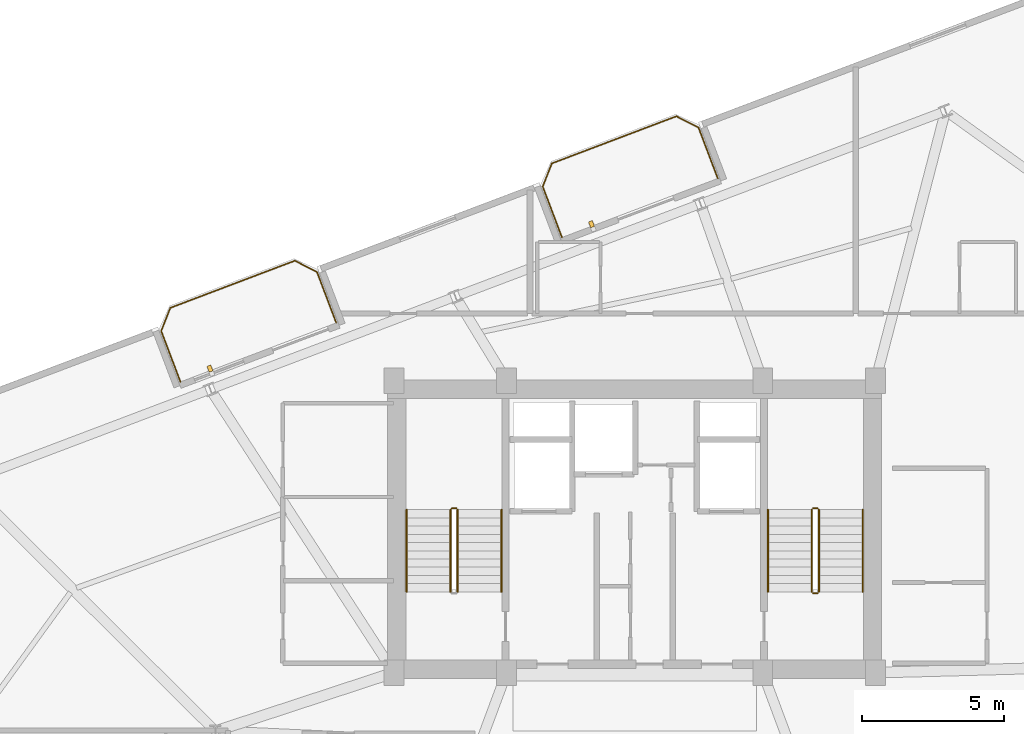
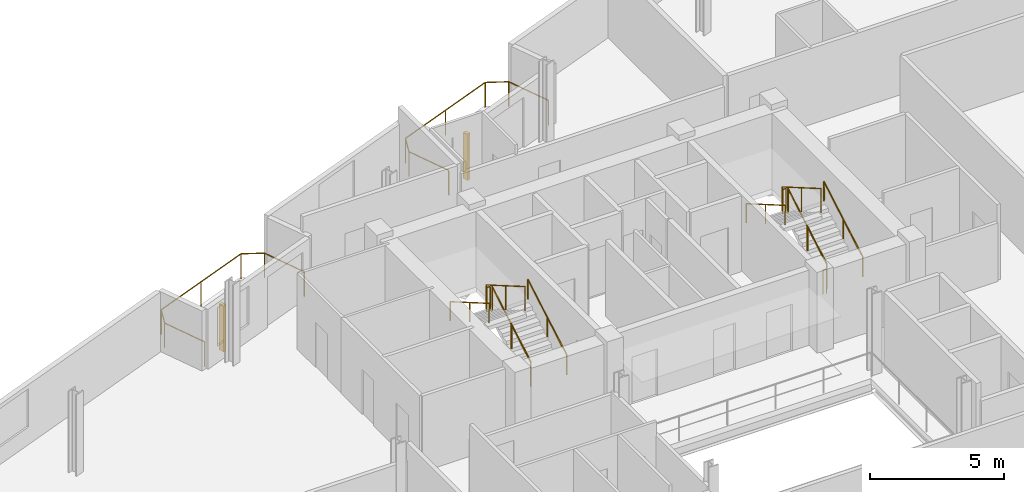
# One storey, part 20 of 20: 13 railings, 2 shading devices.
"""IFC4 building model written with IfcOpenShell, lengths in metres."""

from ifc_helpers import new_model, si_unit, direction, frame, origin, origin_2d, place, context, subcontext, project, spatial, rectangle, circle, extrude, source, transform, mapped, material, type_object, element, save


model = new_model("IFC4")

# Units and contexts
model_context = context("Model", 3, precision=1e-05, world=origin(), true_north=direction((0.0, 1.0)))
body_context = subcontext(model_context, "Body", "Model", "MODEL_VIEW")
ifc_project = project(units=[si_unit("LENGTHUNIT", "METRE"), si_unit("AREAUNIT", "SQUARE_METRE"), si_unit("VOLUMEUNIT", "CUBIC_METRE"), si_unit("PLANEANGLEUNIT", "RADIAN"), si_unit("MASSUNIT", "GRAM", prefix="KILO")], contexts=[model_context])

# Site, building, storey
site_placement = place(None, origin())
site = spatial("IfcSite", under=ifc_project, at=site_placement, CompositionType="ELEMENT")
building_placement = place(site_placement, origin())
building = spatial("IfcBuilding", under=site, at=building_placement, Name="Varnelok Gate Tower", CompositionType="ELEMENT")
storey_placement = place(building_placement, frame((0.0, 0.0, 220.10009765625)))
storey = spatial("IfcBuildingStorey", under=building, at=storey_placement, Name="L56", CompositionType="ELEMENT", Elevation=220.10009765625)

# Railings
ifc_material_1 = material(Name="Low-E Laminated Double Glazing IGU", Category="glass")
railing_type_1 = type_object("IfcRailingType", Name="RL-BALC-1150", PredefinedType="BALUSTRADE", material=ifc_material_1)
railing_1_placement = place(storey_placement, frame((23.166748046875, 39.011474609375, 0.0)))
element("IfcRailing", 1, at=railing_1_placement, inside=storey, type_object=railing_type_1, Name="L56 North Terrace Balustrade 3", PredefinedType="BALUSTRADE", context=body_context, shape_type="SweptSolid", body=[
    extrude(circle(Radius=0.02392578125, at=origin_2d()), frame((0.0, 0.0, 1.1259765625), z_axis=(-0.354159661475, 0.935184973245, 0.0), x_axis=(-0.935184973245, -0.354159661475, 0.0)), (0.0, 0.0, 1.0), 1.919921875),
    extrude(circle(Radius=0.02392578125, at=origin_2d()), frame((-0.679931640625, 1.79541015625, 1.1259765625), z_axis=(0.366495340819, 0.93041988648, 0.0), x_axis=(-0.93041988648, 0.366495340819, 0.0)), (0.0, 0.0, 1.0), 0.8779296875),
    extrude(circle(Radius=0.02392578125, at=origin_2d()), frame((-0.358154296875, 2.6123046875, 1.1259765625), z_axis=(0.935223045203, 0.354059113314, 0.0), x_axis=(-0.354059113314, 0.935223045203, 0.0)), (0.0, 0.0, 1.0), 4.699951171875),
    extrude(circle(Radius=0.02392578125, at=origin_2d()), frame((4.037353515625, 4.2763671875, 1.1259765625), z_axis=(0.89078254773, -0.454429810487, 0.0), x_axis=(0.454429810487, 0.89078254773, 0.0)), (0.0, 0.0, 1.0), 0.8779296875),
    extrude(circle(Radius=0.02392578125, at=origin_2d()), frame((4.8193359375, 3.87744140625, 1.1259765625), z_axis=(0.354006333352, -0.935243025073, 0.0), x_axis=(0.935243025073, 0.354006333352, 0.0)), (0.0, 0.0, 1.0), 1.919921875),
    extrude(circle(Radius=0.02099609375, at=origin_2d()), origin(), (0.0, 0.0, 1.0), 1.101806640625),
    extrude(circle(Radius=0.02099609375, at=origin_2d()), frame((-0.679931640625, 1.79541015625, 0.0)), (0.0, 0.0, 1.0), 1.101806640625),
    extrude(circle(Radius=0.02099609375, at=origin_2d()), frame((-0.358154296875, 2.6123046875, 0.0)), (0.0, 0.0, 1.0), 1.101806640625),
    extrude(circle(Radius=0.02099609375, at=origin_2d()), frame((1.839599609375, 3.4443359375, 0.0)), (0.0, 0.0, 1.0), 1.101806640625),
    extrude(circle(Radius=0.02099609375, at=origin_2d()), frame((4.037353515625, 4.2763671875, 0.0)), (0.0, 0.0, 1.0), 1.101806640625),
    extrude(circle(Radius=0.02099609375, at=origin_2d()), frame((4.8193359375, 3.87744140625, 0.0)), (0.0, 0.0, 1.0), 1.101806640625),
    extrude(circle(Radius=0.02099609375, at=origin_2d()), frame((5.4990234375, 2.081787109375, 0.0)), (0.0, 0.0, 1.0), 1.101806640625),
])
railing_2_placement = place(storey_placement, frame((36.6337890625, 44.10986328125, 0.0)))
element("IfcRailing", 2, at=railing_2_placement, inside=storey, type_object=railing_type_1, Name="L56 North Terrace Balustrade 4", PredefinedType="BALUSTRADE", context=body_context, shape_type="SweptSolid", body=[
    extrude(circle(Radius=0.02392578125, at=origin_2d()), frame((0.0, 0.0, 1.1259765625), z_axis=(-0.354006333352, 0.935243025073, 0.0), x_axis=(-0.935243025073, -0.354006333352, 0.0)), (0.0, 0.0, 1.0), 1.919921875),
    extrude(circle(Radius=0.02392578125, at=origin_2d()), frame((-0.6796875, 1.795654296875, 1.1259765625), z_axis=(0.366254584666, 0.930514685113, 0.0), x_axis=(-0.930514685113, 0.366254584666, 0.0)), (0.0, 0.0, 1.0), 0.8779296875),
    extrude(circle(Radius=0.02392578125, at=origin_2d()), frame((-0.358154296875, 2.612548828125, 1.1259765625), z_axis=(0.935229556479, 0.354041913744, 0.0), x_axis=(-0.354041913744, 0.935229556479, 0.0)), (0.0, 0.0, 1.0), 4.7001953125),
    extrude(circle(Radius=0.02392578125, at=origin_2d()), frame((4.03759765625, 4.276611328125, 1.1259765625), z_axis=(0.890612455555, -0.454763074589, 0.0), x_axis=(0.454763074589, 0.890612455555, 0.0)), (0.0, 0.0, 1.0), 0.877685546875),
    extrude(circle(Radius=0.02392578125, at=origin_2d()), frame((4.8193359375, 3.87744140625, 1.1259765625), z_axis=(0.354159661475, -0.935184973245, 0.0), x_axis=(0.935184973245, 0.354159661475, 0.0)), (0.0, 0.0, 1.0), 1.919921875),
    extrude(circle(Radius=0.02099609375, at=origin_2d()), origin(), (0.0, 0.0, 1.0), 1.101806640625),
    extrude(circle(Radius=0.02099609375, at=origin_2d()), frame((-0.6796875, 1.795654296875, 0.0)), (0.0, 0.0, 1.0), 1.101806640625),
    extrude(circle(Radius=0.02099609375, at=origin_2d()), frame((-0.358154296875, 2.612548828125, 0.0)), (0.0, 0.0, 1.0), 1.101806640625),
    extrude(circle(Radius=0.02099609375, at=origin_2d()), frame((1.83984375, 3.444580078125, 0.0)), (0.0, 0.0, 1.0), 1.101806640625),
    extrude(circle(Radius=0.02099609375, at=origin_2d()), frame((4.03759765625, 4.276611328125, 0.0)), (0.0, 0.0, 1.0), 1.101806640625),
    extrude(circle(Radius=0.02099609375, at=origin_2d()), frame((4.8193359375, 3.87744140625, 0.0)), (0.0, 0.0, 1.0), 1.101806640625),
    extrude(circle(Radius=0.02099609375, at=origin_2d()), frame((5.499267578125, 2.08203125, 0.0)), (0.0, 0.0, 1.0), 1.101806640625),
])
ifc_material_2 = material(Name="Brushed Stainless Steel AISI 316", Category="steel")
railing_type_2 = type_object("IfcRailingType", Name="RL-HANDRAIL-900", PredefinedType="HANDRAIL", material=ifc_material_2)
railing_3_placement = place(storey_placement, frame((34.5, 31.60009765625, 0.16796875)))
element("IfcRailing", 3, at=railing_3_placement, inside=storey, type_object=railing_type_2, Name="L56 ST-1 stair handrail 1", PredefinedType="HANDRAIL", context=body_context, shape_type="SweptSolid", body=[
    extrude(circle(Radius=0.02392578125, at=origin_2d()), frame((0.0, 0.0, 0.8759765625), z_axis=(0.0, 0.865038774852, 0.501705010941), x_axis=(-1.0, 0.0, 0.0)), (0.0, 0.0, 1.0), 3.352294921875),
    extrude(circle(Radius=0.02099609375, at=origin_2d()), origin(), (0.0, 0.0, 1.0), 0.851806640625),
    extrude(circle(Radius=0.02099609375, at=origin_2d()), frame((0.0, 1.449951171875, 0.8408203125)), (0.0, 0.0, 1.0), 0.851806640625),
    extrude(circle(Radius=0.02099609375, at=origin_2d()), frame((0.0, 2.89990234375, 1.681884765625)), (0.0, 0.0, 1.0), 0.851806640625),
])
railing_4_placement = place(storey_placement, frame((31.14990234375, 34.5, 2.01806640625)))
element("IfcRailing", 4, at=railing_4_placement, inside=storey, type_object=railing_type_2, Name="L56 ST-1 stair handrail 2", PredefinedType="HANDRAIL", context=body_context, shape_type="SweptSolid", body=[
    extrude(circle(Radius=0.02392578125, at=origin_2d()), frame((0.0, 0.0, 0.8759765625), z_axis=(0.0, -0.865038774852, 0.501705010941), x_axis=(1.0, 0.0, 0.0)), (0.0, 0.0, 1.0), 3.352294921875),
    extrude(circle(Radius=0.02099609375, at=origin_2d()), origin(), (0.0, 0.0, 1.0), 0.851806640625),
    extrude(circle(Radius=0.02099609375, at=origin_2d()), frame((0.0, -1.449951171875, 0.8408203125)), (0.0, 0.0, 1.0), 0.851806640625),
    extrude(circle(Radius=0.02099609375, at=origin_2d()), frame((0.0, -2.89990234375, 1.681884765625)), (0.0, 0.0, 1.0), 0.851806640625),
])
railing_5_placement = place(storey_placement, frame((47.25, 31.60009765625, 0.16796875)))
element("IfcRailing", 5, at=railing_5_placement, inside=storey, type_object=railing_type_2, Name="L56 ST-2 stair handrail 1", PredefinedType="HANDRAIL", context=body_context, shape_type="SweptSolid", body=[
    extrude(circle(Radius=0.02392578125, at=origin_2d()), frame((0.0, 0.0, 0.8759765625), z_axis=(0.0, 0.865038774852, 0.501705010941), x_axis=(-1.0, 0.0, 0.0)), (0.0, 0.0, 1.0), 3.352294921875),
    extrude(circle(Radius=0.02099609375, at=origin_2d()), origin(), (0.0, 0.0, 1.0), 0.851806640625),
    extrude(circle(Radius=0.02099609375, at=origin_2d()), frame((0.0, 1.449951171875, 0.8408203125)), (0.0, 0.0, 1.0), 0.851806640625),
    extrude(circle(Radius=0.02099609375, at=origin_2d()), frame((0.0, 2.89990234375, 1.681884765625)), (0.0, 0.0, 1.0), 0.851806640625),
])
railing_6_placement = place(storey_placement, frame((43.89990234375, 34.5, 2.01806640625)))
element("IfcRailing", 6, at=railing_6_placement, inside=storey, type_object=railing_type_2, Name="L56 ST-2 stair handrail 2", PredefinedType="HANDRAIL", context=body_context, shape_type="SweptSolid", body=[
    extrude(circle(Radius=0.02392578125, at=origin_2d()), frame((0.0, 0.0, 0.8759765625), z_axis=(0.0, -0.865038774852, 0.501705010941), x_axis=(1.0, 0.0, 0.0)), (0.0, 0.0, 1.0), 3.352294921875),
    extrude(circle(Radius=0.02099609375, at=origin_2d()), origin(), (0.0, 0.0, 1.0), 0.851806640625),
    extrude(circle(Radius=0.02099609375, at=origin_2d()), frame((0.0, -1.449951171875, 0.8408203125)), (0.0, 0.0, 1.0), 0.851806640625),
    extrude(circle(Radius=0.02099609375, at=origin_2d()), frame((0.0, -2.89990234375, 1.681884765625)), (0.0, 0.0, 1.0), 0.851806640625),
])
ifc_material_3 = material(Name="Galvanized Steel Grade S350GD", Category="steel")
railing_type_3 = type_object("IfcRailingType", Name="RL-STAIR-GUARD1120", PredefinedType="GUARDRAIL", material=ifc_material_3)
railing_7_placement = place(storey_placement, frame((32.949951171875, 31.60009765625, 0.16796875)))
element("IfcRailing", 7, at=railing_7_placement, inside=storey, type_object=railing_type_3, Name="L56 ST-1 stair guard 1", PredefinedType="GUARDRAIL", context=body_context, shape_type="SweptSolid", body=[
    extrude(circle(Radius=0.02392578125, at=origin_2d()), frame((0.0, 0.0, 1.09619140625), z_axis=(0.0, 0.865038774852, 0.501705010941), x_axis=(-1.0, 0.0, 0.0)), (0.0, 0.0, 1.0), 3.352294921875),
    extrude(circle(Radius=0.02099609375, at=origin_2d()), origin(), (0.0, 0.0, 1.0), 1.072021484375),
    extrude(circle(Radius=0.02099609375, at=origin_2d()), frame((0.0, 1.449951171875, 0.8408203125)), (0.0, 0.0, 1.0), 1.072021484375),
    extrude(circle(Radius=0.02099609375, at=origin_2d()), frame((0.0, 2.89990234375, 1.681884765625)), (0.0, 0.0, 1.0), 1.072021484375),
])
railing_8_placement = place(storey_placement, frame((32.89990234375, 34.550048828125, 1.849853515625)))
element("IfcRailing", 8, at=railing_8_placement, inside=storey, type_object=railing_type_3, Name="L56 ST-1 stair guard 2", PredefinedType="GUARDRAIL", context=body_context, shape_type="SweptSolid", body=[
    extrude(circle(Radius=0.02392578125, at=origin_2d()), frame((0.0, 0.0, 1.09619140625), z_axis=(-1.0, 0.0, 0.0), x_axis=(0.0, -1.0, 0.0)), (0.0, 0.0, 1.0), 0.14990234375),
    extrude(circle(Radius=0.02099609375, at=origin_2d()), origin(), (0.0, 0.0, 1.0), 1.072021484375),
    extrude(circle(Radius=0.02099609375, at=origin_2d()), frame((-0.14990234375, 0.0, 0.0)), (0.0, 0.0, 1.0), 1.072021484375),
])
railing_9_placement = place(storey_placement, frame((32.699951171875, 34.5, 2.01806640625)))
element("IfcRailing", 9, at=railing_9_placement, inside=storey, type_object=railing_type_3, Name="L56 ST-1 stair guard 3", PredefinedType="GUARDRAIL", context=body_context, shape_type="SweptSolid", body=[
    extrude(circle(Radius=0.02392578125, at=origin_2d()), frame((0.0, 0.0, 1.09619140625), z_axis=(0.0, -0.865038774852, 0.501705010941), x_axis=(1.0, 0.0, 0.0)), (0.0, 0.0, 1.0), 3.352294921875),
    extrude(circle(Radius=0.02099609375, at=origin_2d()), origin(), (0.0, 0.0, 1.0), 1.072021484375),
    extrude(circle(Radius=0.02099609375, at=origin_2d()), frame((0.0, -1.449951171875, 0.8408203125)), (0.0, 0.0, 1.0), 1.072021484375),
    extrude(circle(Radius=0.02099609375, at=origin_2d()), frame((0.0, -2.89990234375, 1.681884765625)), (0.0, 0.0, 1.0), 1.072021484375),
])
railing_10_placement = place(storey_placement, frame((45.699951171875, 31.60009765625, 0.16796875)))
element("IfcRailing", 10, at=railing_10_placement, inside=storey, type_object=railing_type_3, Name="L56 ST-2 stair guard 1", PredefinedType="GUARDRAIL", context=body_context, shape_type="SweptSolid", body=[
    extrude(circle(Radius=0.02392578125, at=origin_2d()), frame((0.0, 0.0, 1.09619140625), z_axis=(0.0, 0.865038774852, 0.501705010941), x_axis=(-1.0, 0.0, 0.0)), (0.0, 0.0, 1.0), 3.352294921875),
    extrude(circle(Radius=0.02099609375, at=origin_2d()), origin(), (0.0, 0.0, 1.0), 1.072021484375),
    extrude(circle(Radius=0.02099609375, at=origin_2d()), frame((0.0, 1.449951171875, 0.8408203125)), (0.0, 0.0, 1.0), 1.072021484375),
    extrude(circle(Radius=0.02099609375, at=origin_2d()), frame((0.0, 2.89990234375, 1.681884765625)), (0.0, 0.0, 1.0), 1.072021484375),
])
railing_11_placement = place(storey_placement, frame((45.64990234375, 34.550048828125, 1.849853515625)))
element("IfcRailing", 11, at=railing_11_placement, inside=storey, type_object=railing_type_3, Name="L56 ST-2 stair guard 2", PredefinedType="GUARDRAIL", context=body_context, shape_type="SweptSolid", body=[
    extrude(circle(Radius=0.02392578125, at=origin_2d()), frame((0.0, 0.0, 1.09619140625), z_axis=(-1.0, 0.0, 0.0), x_axis=(0.0, -1.0, 0.0)), (0.0, 0.0, 1.0), 0.14990234375),
    extrude(circle(Radius=0.02099609375, at=origin_2d()), origin(), (0.0, 0.0, 1.0), 1.072021484375),
    extrude(circle(Radius=0.02099609375, at=origin_2d()), frame((-0.14990234375, 0.0, 0.0)), (0.0, 0.0, 1.0), 1.072021484375),
])
railing_12_placement = place(storey_placement, frame((45.449951171875, 34.5, 2.01806640625)))
element("IfcRailing", 12, at=railing_12_placement, inside=storey, type_object=railing_type_3, Name="L56 ST-2 stair guard 3", PredefinedType="GUARDRAIL", context=body_context, shape_type="SweptSolid", body=[
    extrude(circle(Radius=0.02392578125, at=origin_2d()), frame((0.0, 0.0, 1.09619140625), z_axis=(0.0, -0.865038774852, 0.501705010941), x_axis=(1.0, 0.0, 0.0)), (0.0, 0.0, 1.0), 3.352294921875),
    extrude(circle(Radius=0.02099609375, at=origin_2d()), origin(), (0.0, 0.0, 1.0), 1.072021484375),
    extrude(circle(Radius=0.02099609375, at=origin_2d()), frame((0.0, -1.449951171875, 0.8408203125)), (0.0, 0.0, 1.0), 1.072021484375),
    extrude(circle(Radius=0.02099609375, at=origin_2d()), frame((0.0, -2.89990234375, 1.681884765625)), (0.0, 0.0, 1.0), 1.072021484375),
])
railing_13_placement = place(storey_placement, frame((45.64990234375, 31.550048828125, 0.0)))
element("IfcRailing", 13, at=railing_13_placement, inside=storey, type_object=railing_type_3, Name="L56 ST-2 stair guard 4", PredefinedType="GUARDRAIL", context=body_context, shape_type="SweptSolid", body=[
    extrude(circle(Radius=0.02392578125, at=origin_2d()), frame((0.0, 0.0, 1.09619140625), z_axis=(-1.0, 0.0, 0.0), x_axis=(0.0, -1.0, 0.0)), (0.0, 0.0, 1.0), 0.14990234375),
    extrude(circle(Radius=0.02099609375, at=origin_2d()), origin(), (0.0, 0.0, 1.0), 1.072021484375),
    extrude(circle(Radius=0.02099609375, at=origin_2d()), frame((-0.14990234375, 0.0, 0.0)), (0.0, 0.0, 1.0), 1.072021484375),
])

# Shading devices
ifc_material_4 = material(Name="Glazed Architectural Terracotta Ceramic", Category="masonry")
shading_device_type = type_object("IfcShadingDeviceType", Name="SHD-TERRA-BAGUETTE", PredefinedType="USERDEFINED", material=ifc_material_4)
shared_shape = source(origin(), body_context, "Body", "SweptSolid", [
    extrude(rectangle(XDim=0.139892578125, YDim=0.219970703125, at=origin_2d()), origin(), (0.0, 0.0, 1.0), 2.10009765625),
])
for number, where, z_axis, x_axis, name in (
    (14, (24.2080078125, 39.48046875, 0.099853515625), (0.0, 0.0, 1.0), (0.935221751401, 0.354062530786, 0.0), "L56 Terracotta Ceramic Baguette Sunscreen 3.1"),
    (15, (37.67529296875, 44.5791015625, 0.099853515625), (0.0, 0.0, 1.0), (0.935221751401, 0.354062530786, 0.0), "L56 Terracotta Ceramic Baguette Sunscreen 4.1"),
):
    element("IfcShadingDevice", number, at=place(storey_placement, frame(where, z_axis=z_axis, x_axis=x_axis)), inside=storey, type_object=shading_device_type, Name=name, ObjectType="BAGUETTE", PredefinedType="USERDEFINED", context=body_context, shape_type="MappedRepresentation", body=[
        mapped(shared_shape, transform((0.0, 0.0, 0.0), scale=1.0)),
    ])

save(model, "model.ifc")
